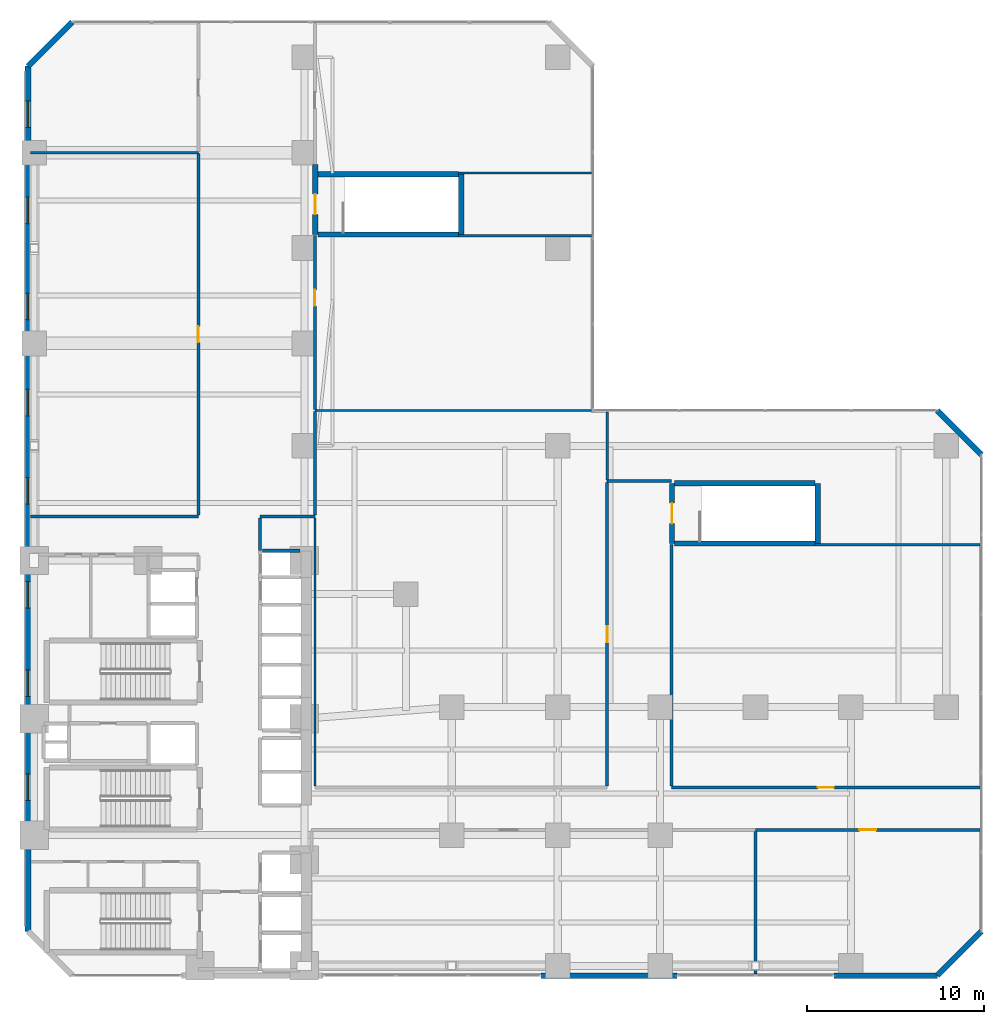
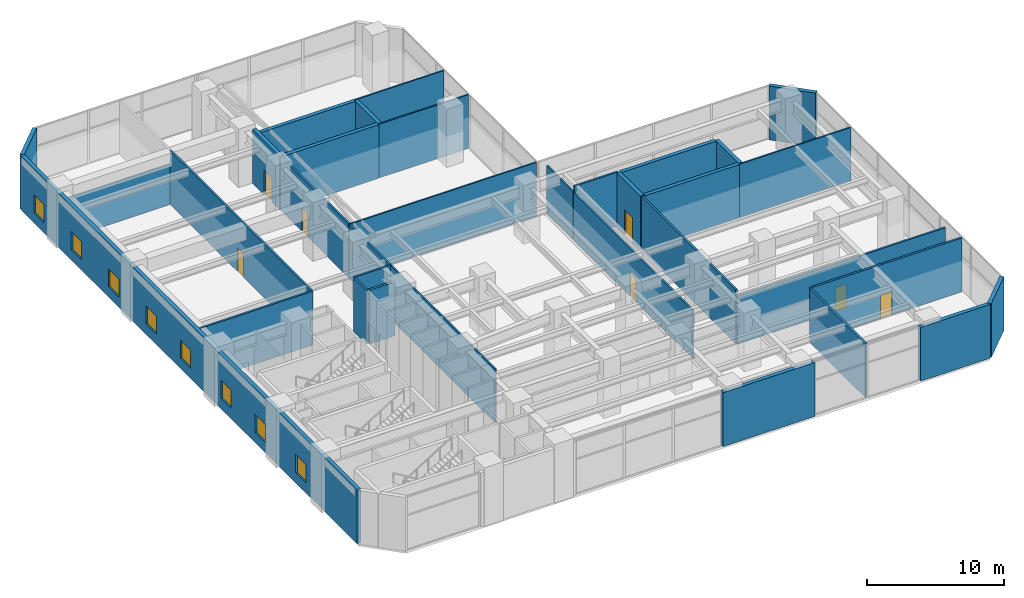
# One storey, part 24 of 29: 34 walls, 8 windows, 7 doors, 15 openings.
"""IFC4 building model written with IfcOpenShell, lengths in metres."""

from ifc_helpers import new_model, si_unit, direction, frame, frame_2d, origin, place, context, subcontext, project, spatial, rectangle, extrude, material, layer, layer_set, type_object, element, fill, save


model = new_model("IFC4")

# Units and contexts
model_context = context("Model", 3, precision=1e-05, world=origin(), true_north=direction((0.0, 1.0)))
body_context = subcontext(model_context, "Body", "Model", "MODEL_VIEW")
ifc_project = project(units=[si_unit("LENGTHUNIT", "METRE"), si_unit("AREAUNIT", "SQUARE_METRE"), si_unit("VOLUMEUNIT", "CUBIC_METRE"), si_unit("PLANEANGLEUNIT", "RADIAN"), si_unit("MASSUNIT", "GRAM", prefix="KILO")], contexts=[model_context])

# Site, building, storey
site_placement = place(None, origin())
site = spatial("IfcSite", under=ifc_project, at=site_placement, CompositionType="ELEMENT")
building_placement = place(site_placement, origin())
building = spatial("IfcBuilding", under=site, at=building_placement, Name="Mawjaban Terraces University", CompositionType="ELEMENT")
storey_placement = place(building_placement, frame((0.0, 0.0, 20.800048828125)))
storey = spatial("IfcBuildingStorey", under=building, at=storey_placement, Name="L04", CompositionType="ELEMENT", Elevation=20.800048828125)

# Wall, opening, door
ifc_material_1 = material(Name="Acoustic masonry blockwork", Category="masonry")
ifc_layer_1 = layer(ifc_material_1, 0.179931640625)
ifc_layer_set_1 = layer_set([ifc_layer_1], Name="Acoustic masonry blockwork")
wall_type_1 = type_object("IfcWallType", Name="AcousticStudioWall_180", PredefinedType="PARTITIONING", material=ifc_layer_set_1)
wall_1_placement = place(storey_placement, frame((63.199951171875, 8.25, 0.0), z_axis=(0.0, 0.0, 1.0), x_axis=(1.0, 0.0, 0.0)))
wall_1 = element("IfcWall", 1, at=wall_1_placement, inside=storey, type_object=wall_type_1, Name="L04 Podium Academic Gallery Corridor Partition 20", PredefinedType="PARTITIONING", context=body_context, shape_type="SweptSolid", body=[
    extrude(rectangle(XDim=12.719970703125, YDim=0.179931640625, at=frame_2d((6.35986328125, 0.0))), origin(), (0.0, 0.0, 1.0), 4.780029296875),
])
opening_1_placement = place(wall_1_placement, frame((5.885009765625, 0.0, 0.0)))
opening_1 = element("IfcOpeningElement", 2, at=opening_1_placement, cuts=wall_1, Name="Opening ID-095", PredefinedType="OPENING", context=body_context, shape_type="SweptSolid", body=[
    extrude(rectangle(XDim=0.949951171875, YDim=2.10009765625, at=frame_2d((0.47509765625, 1.050048828125))), frame((0.0, 0.099853515625, 0.0), z_axis=(0.0, -1.0, 0.0), x_axis=(1.0, 0.0, 0.0)), (0.0, 0.0, 1.0), 0.199951171875),
])
ifc_material_2 = material(Name="Powder-coated steel frame and solid acoustic timber leaf", Category="steel")
door_type_1 = type_object("IfcDoorType", Name="StudioDoor_950x2100", OperationType="NOTDEFINED", PredefinedType="DOOR", material=ifc_material_2)
door_1_placement = place(opening_1_placement, origin())
door_1 = element("IfcDoor", 3, at=door_1_placement, inside=storey, type_object=door_type_1, Name="L04 Instructional Media Studio Door", OperationType="SINGLE_SWING_RIGHT", OverallHeight=2.10009765625, OverallWidth=0.949951171875, PredefinedType="DOOR", context=body_context, shape_type="SweptSolid", body=[
    extrude(rectangle(XDim=0.949951171875, YDim=2.10009765625, at=frame_2d((0.47509765625, 1.050048828125))), frame((0.0, 0.02490234375, 0.0), z_axis=(0.0, -1.0, 0.0), x_axis=(1.0, 0.0, 0.0)), (0.0, 0.0, 1.0), 0.050048828125),
])
fill(opening_1, door_1)

# Walls
wall_2_placement = place(storey_placement, frame((63.199951171875, 0.090087890625, 0.0), z_axis=(0.0, 0.0, 1.0), x_axis=(0.0, 1.0, 0.0)))
element("IfcWall", 4, at=wall_2_placement, inside=storey, type_object=wall_type_1, Name="L04 Foundation Seminar Classroom Partition 41", PredefinedType="PARTITIONING", context=body_context, shape_type="SweptSolid", body=[
    extrude(rectangle(XDim=8.074951171875, YDim=0.179931640625, at=frame_2d((4.03759765625, 0.0))), origin(), (0.0, 0.0, 1.0), 4.780029296875),
])
ifc_material_3 = material(Name="Fire-rated gypsum board on steel stud", Category="steel")
ifc_layer_2 = layer(ifc_material_3, 0.159912109375)
ifc_layer_set_2 = layer_set([ifc_layer_2], Name="Fire-rated gypsum board on steel stud")
wall_type_2 = type_object("IfcWallType", Name="CorridorPartition_160", PredefinedType="PARTITIONING", material=ifc_layer_set_2)
wall_3_placement = place(storey_placement, frame((31.64990234375, 26.0, 0.0), z_axis=(0.0, 0.0, 1.0), x_axis=(-1.0, 0.0, 0.0)))
element("IfcWall", 5, at=wall_3_placement, inside=storey, type_object=wall_type_2, Name="L04 North Core Cross-Corridor Partition 10", PredefinedType="PARTITIONING", context=body_context, shape_type="SweptSolid", body=[
    extrude(rectangle(XDim=9.494873046875, YDim=0.159912109375, at=frame_2d((4.74755859375, 0.0))), origin(), (0.0, 0.0, 1.0), 4.780029296875),
])
wall_4_placement = place(storey_placement, frame((35.14990234375, 26.0, 0.0), z_axis=(0.0, 0.0, 1.0), x_axis=(1.0, 0.0, 0.0)))
element("IfcWall", 6, at=wall_4_placement, inside=storey, type_object=wall_type_2, Name="L04 Podium Library Concourse Partition 13", PredefinedType="PARTITIONING", context=body_context, shape_type="SweptSolid", body=[
    extrude(rectangle(XDim=3.10009765625, YDim=0.159912109375, at=frame_2d((1.550048828125, 0.0))), origin(), (0.0, 0.0, 1.0), 4.780029296875),
])
wall_5_placement = place(storey_placement, frame((58.449951171875, 28.0, 0.0), z_axis=(0.0, 0.0, 1.0), x_axis=(-1.0, 0.0, 0.0)))
element("IfcWall", 7, at=wall_5_placement, inside=storey, type_object=wall_type_2, Name="L04 East Stair Access Corridor Partition 19", PredefinedType="PARTITIONING", context=body_context, shape_type="SweptSolid", body=[
    extrude(rectangle(XDim=3.64990234375, YDim=0.159912109375, at=frame_2d((1.824951171875, 0.0))), origin(), (0.0, 0.0, 1.0), 4.780029296875),
])

# Wall, opening, door
wall_6_placement = place(storey_placement, frame((75.919921875, 10.64990234375, 0.0), z_axis=(0.0, 0.0, 1.0), x_axis=(-1.0, 0.0, 0.0)))
wall_6 = element("IfcWall", 8, at=wall_6_placement, inside=storey, type_object=wall_type_2, Name="L04 Podium Academic Gallery Corridor Partition 21", PredefinedType="PARTITIONING", context=body_context, shape_type="SweptSolid", body=[
    extrude(rectangle(XDim=17.469970703125, YDim=0.159912109375, at=frame_2d((8.73486328125, 0.0))), origin(), (0.0, 0.0, 1.0), 4.22900390625),
])
opening_2_placement = place(wall_6_placement, frame((8.284912109375, 0.0, 0.0)))
opening_2 = element("IfcOpeningElement", 9, at=opening_2_placement, cuts=wall_6, Name="Opening ID-090", PredefinedType="OPENING", context=body_context, shape_type="SweptSolid", body=[
    extrude(rectangle(XDim=0.89990234375, YDim=2.10009765625, at=frame_2d((0.449951171875, 1.050048828125))), frame((0.0, 0.08984375, 0.0), z_axis=(0.0, -1.0, 0.0), x_axis=(1.0, 0.0, 0.0)), (0.0, 0.0, 1.0), 0.179931640625),
])
door_type_2 = type_object("IfcDoorType", Name="OfficeDoor_900x2100", OperationType="NOTDEFINED", PredefinedType="DOOR", material=ifc_material_2)
door_2_placement = place(opening_2_placement, origin())
door_2 = element("IfcDoor", 10, at=door_2_placement, inside=storey, type_object=door_type_2, Name="L04 Interdisciplinary Seminar Hall Door", OperationType="SINGLE_SWING_RIGHT", OverallHeight=2.10009765625, OverallWidth=0.89990234375, PredefinedType="DOOR", context=body_context, shape_type="SweptSolid", body=[
    extrude(rectangle(XDim=0.89990234375, YDim=2.10009765625, at=frame_2d((0.449951171875, 1.050048828125))), frame((0.0, 0.02490234375, 0.0), z_axis=(0.0, -1.0, 0.0), x_axis=(1.0, 0.0, 0.0)), (0.0, 0.0, 1.0), 0.050048828125),
])
fill(opening_2, door_2)

wall_7_placement = place(storey_placement, frame((31.64990234375, 46.54296875, 0.0), z_axis=(0.0, 0.0, 1.0), x_axis=(0.0, -1.0, 0.0)))
wall_7 = element("IfcWall", 11, at=wall_7_placement, inside=storey, type_object=wall_type_2, Name="L04 Podium Library Concourse Partition 30", PredefinedType="PARTITIONING", context=body_context, shape_type="SweptSolid", body=[
    extrude(rectangle(XDim=20.468017578125, YDim=0.159912109375, at=frame_2d((10.23388671875, 0.0))), origin(), (0.0, 0.0, 1.0), 4.780029296875),
])
opening_3_placement = place(wall_7_placement, frame((9.783935546875, 0.0, 0.0)))
opening_3 = element("IfcOpeningElement", 12, at=opening_3_placement, cuts=wall_7, Name="Opening ID-090", PredefinedType="OPENING", context=body_context, shape_type="SweptSolid", body=[
    extrude(rectangle(XDim=0.89990234375, YDim=2.10009765625, at=frame_2d((0.449951171875, 1.050048828125))), frame((0.0, 0.08984375, 0.0), z_axis=(0.0, -1.0, 0.0), x_axis=(1.0, 0.0, 0.0)), (0.0, 0.0, 1.0), 0.179931640625),
])
door_3_placement = place(opening_3_placement, origin())
door_3 = element("IfcDoor", 13, at=door_3_placement, inside=storey, type_object=door_type_2, Name="L04 Central Library Bookstack Hall Door", OperationType="SINGLE_SWING_LEFT", OverallHeight=2.10009765625, OverallWidth=0.89990234375, PredefinedType="DOOR", context=body_context, shape_type="SweptSolid", body=[
    extrude(rectangle(XDim=0.89990234375, YDim=2.10009765625, at=frame_2d((0.449951171875, 1.050048828125))), frame((0.0, 0.02490234375, 0.0), z_axis=(0.0, -1.0, 0.0), x_axis=(1.0, 0.0, 0.0)), (0.0, 0.0, 1.0), 0.050048828125),
])
fill(opening_3, door_3)

# Walls
wall_8_placement = place(storey_placement, frame((35.14990234375, 24.070068359375, 0.0), z_axis=(0.0, 0.0, 1.0), x_axis=(0.0, 1.0, 0.0)))
element("IfcWall", 14, at=wall_8_placement, inside=storey, type_object=wall_type_2, Name="L04 North Core Cross-Corridor Partition 32", PredefinedType="PARTITIONING", context=body_context, shape_type="SweptSolid", body=[
    extrude(rectangle(XDim=1.85498046875, YDim=0.159912109375, at=frame_2d((0.927490234375, 0.0))), origin(), (0.0, 0.0, 1.0), 4.780029296875),
])
wall_9_placement = place(storey_placement, frame((38.25, 26.074951171875, 0.0), z_axis=(0.0, 0.0, 1.0), x_axis=(0.0, 1.0, 0.0)))
element("IfcWall", 15, at=wall_9_placement, inside=storey, type_object=wall_type_2, Name="L04 Podium Library Concourse Partition 35", PredefinedType="PARTITIONING", context=body_context, shape_type="SweptSolid", body=[
    extrude(rectangle(XDim=5.866943359375, YDim=0.159912109375, at=frame_2d((2.93359375, 0.0))), origin(), (0.0, 0.0, 1.0), 4.780029296875),
])

# Wall, opening, door
wall_10_placement = place(storey_placement, frame((38.25, 32.056884765625, 0.0), z_axis=(0.0, 0.0, 1.0), x_axis=(0.0, 1.0, 0.0)))
wall_10 = element("IfcWall", 16, at=wall_10_placement, inside=storey, type_object=wall_type_2, Name="L04 Podium Library Concourse Partition 36", PredefinedType="PARTITIONING", context=body_context, shape_type="SweptSolid", body=[
    extrude(rectangle(XDim=9.843017578125, YDim=0.159912109375, at=frame_2d((4.92138671875, 0.0))), origin(), (0.0, 0.0, 1.0), 4.780029296875),
])
opening_4_placement = place(wall_10_placement, frame((5.87109375, 0.0, 0.0)))
opening_4 = element("IfcOpeningElement", 17, at=opening_4_placement, cuts=wall_10, Name="Opening ID-090", PredefinedType="OPENING", context=body_context, shape_type="SweptSolid", body=[
    extrude(rectangle(XDim=0.89990234375, YDim=2.10009765625, at=frame_2d((0.449951171875, 1.050048828125))), frame((0.0, 0.08984375, 0.0), z_axis=(0.0, -1.0, 0.0), x_axis=(1.0, 0.0, 0.0)), (0.0, 0.0, 1.0), 0.179931640625),
])
door_4_placement = place(opening_4_placement, origin())
door_4 = element("IfcDoor", 18, at=door_4_placement, inside=storey, type_object=door_type_2, Name="L04 Digital Scholarship Reading Hall Door", OperationType="SINGLE_SWING_LEFT", OverallHeight=2.10009765625, OverallWidth=0.89990234375, PredefinedType="DOOR", context=body_context, shape_type="SweptSolid", body=[
    extrude(rectangle(XDim=0.89990234375, YDim=2.10009765625, at=frame_2d((0.449951171875, 1.050048828125))), frame((0.0, 0.02490234375, 0.0), z_axis=(0.0, -1.0, 0.0), x_axis=(1.0, 0.0, 0.0)), (0.0, 0.0, 1.0), 0.050048828125),
])
fill(opening_4, door_4)

wall_11_placement = place(storey_placement, frame((54.800048828125, 27.925048828125, 0.0), z_axis=(0.0, 0.0, 1.0), x_axis=(0.0, -1.0, 0.0)))
wall_11 = element("IfcWall", 19, at=wall_11_placement, inside=storey, type_object=wall_type_2, Name="L04 East Stair Access Corridor Partition 39", PredefinedType="PARTITIONING", context=body_context, shape_type="SweptSolid", body=[
    extrude(rectangle(XDim=17.199951171875, YDim=0.159912109375, at=frame_2d((8.60009765625, 0.0))), origin(), (0.0, 0.0, 1.0), 4.22900390625),
])
opening_5_placement = place(wall_11_placement, frame((8.14990234375, 0.0, 0.0)))
opening_5 = element("IfcOpeningElement", 20, at=opening_5_placement, cuts=wall_11, Name="Opening ID-090", PredefinedType="OPENING", context=body_context, shape_type="SweptSolid", body=[
    extrude(rectangle(XDim=0.89990234375, YDim=2.10009765625, at=frame_2d((0.449951171875, 1.050048828125))), frame((0.0, 0.08984375, 0.0), z_axis=(0.0, -1.0, 0.0), x_axis=(1.0, 0.0, 0.0)), (0.0, 0.0, 1.0), 0.179931640625),
])
door_5_placement = place(opening_5_placement, origin())
door_5 = element("IfcDoor", 21, at=door_5_placement, inside=storey, type_object=door_type_2, Name="L04 Central Library Main Reading Hall Door", OperationType="SINGLE_SWING_LEFT", OverallHeight=2.10009765625, OverallWidth=0.89990234375, PredefinedType="DOOR", context=body_context, shape_type="SweptSolid", body=[
    extrude(rectangle(XDim=0.89990234375, YDim=2.10009765625, at=frame_2d((0.449951171875, 1.050048828125))), frame((0.0, 0.02490234375, 0.0), z_axis=(0.0, -1.0, 0.0), x_axis=(1.0, 0.0, 0.0)), (0.0, 0.0, 1.0), 0.050048828125),
])
fill(opening_5, door_5)

# Walls
wall_12_placement = place(storey_placement, frame((58.449951171875, 10.72509765625, 0.0), z_axis=(0.0, 0.0, 1.0), x_axis=(0.0, 1.0, 0.0)))
element("IfcWall", 22, at=wall_12_placement, inside=storey, type_object=wall_type_2, Name="L04 East Stair Access Corridor Partition 40", PredefinedType="PARTITIONING", context=body_context, shape_type="SweptSolid", body=[
    extrude(rectangle(XDim=13.6748046875, YDim=0.159912109375, at=frame_2d((6.83740234375, 0.0))), origin(), (0.0, 0.0, 1.0), 4.780029296875),
])
ifc_material_4 = material(Name="Insulated terracotta rainscreen on concrete backup C40/50", Category="masonry")
ifc_layer_3 = layer(ifc_material_4, 0.320068359375)
ifc_layer_set_3 = layer_set([ifc_layer_3], Name="Insulated terracotta rainscreen on concrete backup C40/50")
wall_type_3 = type_object("IfcWallType", Name="ExtTerracottaWall_320", PredefinedType="SOLIDWALL", material=ifc_layer_set_3)
wall_13_placement = place(storey_placement, frame((51.050048828125, 0.0, 0.0), z_axis=(0.0, 0.0, 1.0), x_axis=(1.0, 0.0, 0.0)))
element("IfcWall", 23, at=wall_13_placement, inside=storey, type_object=wall_type_3, Name="L04 Exterior Terracotta Pier Wall 1.2", PredefinedType="SOLIDWALL", context=body_context, shape_type="SweptSolid", body=[
    extrude(rectangle(XDim=7.699951171875, YDim=0.320068359375, at=frame_2d((3.85009765625, 0.0))), origin(), (0.0, 0.0, 1.0), 4.780029296875),
])
wall_14_placement = place(storey_placement, frame((67.64990234375, 0.0, 0.0), z_axis=(0.0, 0.0, 1.0), x_axis=(1.0, 0.0, 0.0)))
element("IfcWall", 24, at=wall_14_placement, inside=storey, type_object=wall_type_3, Name="L04 Exterior Terracotta Pier Wall 1.3", PredefinedType="SOLIDWALL", context=body_context, shape_type="SweptSolid", body=[
    extrude(rectangle(XDim=5.85009765625, YDim=0.320068359375, at=frame_2d((2.925048828125, 0.0))), origin(), (0.0, 0.0, 1.0), 4.780029296875),
])
for number, where, z_axis, x_axis, name in (
    (25, (73.5, 0.0, 0.0), (0.0, 0.0, 1.0), (0.707106781187, 0.707106781187, 0.0), "L04 Exterior Terracotta Wall 2"),
    (26, (76.0, 29.5, 0.0), (0.0, 0.0, 1.0), (-0.707106781187, 0.707106781187, 0.0), "L04 Exterior Terracotta Wall 4"),
    (27, (24.5, 54.0, 0.0), (0.0, 0.0, 1.0), (-0.707106781187, -0.707106781187, 0.0), "L04 Exterior Terracotta Wall 9"),
):
    element("IfcWall", number, at=place(storey_placement, frame(where, z_axis=z_axis, x_axis=x_axis)), inside=storey, type_object=wall_type_3, Name=name, PredefinedType="SOLIDWALL", context=body_context, shape_type="SweptSolid", body=[
        extrude(rectangle(XDim=3.53564453125, YDim=0.320068359375, at=frame_2d((1.767822265625, 0.0))), origin(), (0.0, 0.0, 1.0), 4.780029296875),
    ])

# Wall, openings, windows
wall_15_placement = place(storey_placement, frame((22.0, 51.5, 0.0), z_axis=(0.0, 0.0, 1.0), x_axis=(0.0, -1.0, 0.0)))
wall_15 = element("IfcWall", 28, at=wall_15_placement, inside=storey, type_object=wall_type_3, Name="L04 Exterior Terracotta Wall 10", PredefinedType="SOLIDWALL", context=body_context, shape_type="SweptSolid", body=[
    extrude(rectangle(XDim=49.0, YDim=0.320068359375, at=frame_2d((24.5, 0.0))), origin(), (0.0, 0.0, 1.0), 4.780029296875),
])
opening_6_placement = place(wall_15_placement, frame((1.971923828125, 0.0, 0.89990234375)))
opening_6 = element("IfcOpeningElement", 29, at=opening_6_placement, cuts=wall_15, Name="Opening W-02", PredefinedType="OPENING", context=body_context, shape_type="SweptSolid", body=[
    extrude(rectangle(XDim=1.5, YDim=1.60009765625, at=frame_2d((0.75, 0.800048828125))), frame((0.0, 0.169921875, 0.0), z_axis=(0.0, -1.0, 0.0), x_axis=(1.0, 0.0, 0.0)), (0.0, 0.0, 1.0), 0.340087890625),
])
opening_7_placement = place(wall_15_placement, frame((7.4169921875, 0.0, 0.89990234375)))
opening_7 = element("IfcOpeningElement", 30, at=opening_7_placement, cuts=wall_15, Name="Opening W-02", PredefinedType="OPENING", context=body_context, shape_type="SweptSolid", body=[
    extrude(rectangle(XDim=1.5, YDim=1.60009765625, at=frame_2d((0.75, 0.800048828125))), frame((0.0, 0.169921875, 0.0), z_axis=(0.0, -1.0, 0.0), x_axis=(1.0, 0.0, 0.0)), (0.0, 0.0, 1.0), 0.340087890625),
])
opening_8_placement = place(wall_15_placement, frame((12.861083984375, 0.0, 0.89990234375)))
opening_8 = element("IfcOpeningElement", 31, at=opening_8_placement, cuts=wall_15, Name="Opening W-02", PredefinedType="OPENING", context=body_context, shape_type="SweptSolid", body=[
    extrude(rectangle(XDim=1.5, YDim=1.60009765625, at=frame_2d((0.75, 0.800048828125))), frame((0.0, 0.169921875, 0.0), z_axis=(0.0, -1.0, 0.0), x_axis=(1.0, 0.0, 0.0)), (0.0, 0.0, 1.0), 0.340087890625),
])
opening_9_placement = place(wall_15_placement, frame((18.305908203125, 0.0, 0.89990234375)))
opening_9 = element("IfcOpeningElement", 32, at=opening_9_placement, cuts=wall_15, Name="Opening W-02", PredefinedType="OPENING", context=body_context, shape_type="SweptSolid", body=[
    extrude(rectangle(XDim=1.5, YDim=1.60009765625, at=frame_2d((0.75, 0.800048828125))), frame((0.0, 0.169921875, 0.0), z_axis=(0.0, -1.0, 0.0), x_axis=(1.0, 0.0, 0.0)), (0.0, 0.0, 1.0), 0.340087890625),
])
opening_10_placement = place(wall_15_placement, frame((23.300048828125, 0.0, 0.89990234375)))
opening_10 = element("IfcOpeningElement", 33, at=opening_10_placement, cuts=wall_15, Name="Opening W-02", PredefinedType="OPENING", context=body_context, shape_type="SweptSolid", body=[
    extrude(rectangle(XDim=1.5, YDim=1.60009765625, at=frame_2d((0.75, 0.800048828125))), frame((0.0, 0.169921875, 0.0), z_axis=(0.0, -1.0, 0.0), x_axis=(1.0, 0.0, 0.0)), (0.0, 0.0, 1.0), 0.340087890625),
])
opening_11_placement = place(wall_15_placement, frame((29.194091796875, 0.0, 0.89990234375)))
opening_11 = element("IfcOpeningElement", 34, at=opening_11_placement, cuts=wall_15, Name="Opening W-02", PredefinedType="OPENING", context=body_context, shape_type="SweptSolid", body=[
    extrude(rectangle(XDim=1.5, YDim=1.60009765625, at=frame_2d((0.75, 0.800048828125))), frame((0.0, 0.169921875, 0.0), z_axis=(0.0, -1.0, 0.0), x_axis=(1.0, 0.0, 0.0)), (0.0, 0.0, 1.0), 0.340087890625),
])
opening_12_placement = place(wall_15_placement, frame((34.18896484375, 0.0, 0.89990234375)))
opening_12 = element("IfcOpeningElement", 35, at=opening_12_placement, cuts=wall_15, Name="Opening W-02", PredefinedType="OPENING", context=body_context, shape_type="SweptSolid", body=[
    extrude(rectangle(XDim=1.5, YDim=1.60009765625, at=frame_2d((0.75, 0.800048828125))), frame((0.0, 0.169921875, 0.0), z_axis=(0.0, -1.0, 0.0), x_axis=(1.0, 0.0, 0.0)), (0.0, 0.0, 1.0), 0.340087890625),
])
opening_13_placement = place(wall_15_placement, frame((40.0830078125, 0.0, 0.89990234375)))
opening_13 = element("IfcOpeningElement", 36, at=opening_13_placement, cuts=wall_15, Name="Opening W-02", PredefinedType="OPENING", context=body_context, shape_type="SweptSolid", body=[
    extrude(rectangle(XDim=1.5, YDim=1.60009765625, at=frame_2d((0.75, 0.800048828125))), frame((0.0, 0.169921875, 0.0), z_axis=(0.0, -1.0, 0.0), x_axis=(1.0, 0.0, 0.0)), (0.0, 0.0, 1.0), 0.340087890625),
])
ifc_material_5 = material(Name="Low-E solar-control double glazing in thermally broken aluminium frame", Category="aluminium")
window_type = type_object("IfcWindowType", Name="Win_1500x1600", PartitioningType="SINGLE_PANEL", PredefinedType="WINDOW", material=ifc_material_5)
window_1_placement = place(opening_6_placement, origin())
window_1 = element("IfcWindow", 37, at=window_1_placement, inside=storey, type_object=window_type, Name="L04 Facade Window 10.1", OverallHeight=1.60009765625, OverallWidth=1.5, PartitioningType="SINGLE_PANEL", PredefinedType="WINDOW", context=body_context, shape_type="SweptSolid", body=[
    extrude(rectangle(XDim=1.5, YDim=1.60009765625, at=frame_2d((0.75, 0.800048828125))), frame((0.0, 0.030029296875, 0.0), z_axis=(0.0, -1.0, 0.0), x_axis=(1.0, 0.0, 0.0)), (0.0, 0.0, 1.0), 0.06005859375),
])
fill(opening_6, window_1)
window_2_placement = place(opening_7_placement, origin())
window_2 = element("IfcWindow", 38, at=window_2_placement, inside=storey, type_object=window_type, Name="L04 Facade Window 10.2", OverallHeight=1.60009765625, OverallWidth=1.5, PartitioningType="SINGLE_PANEL", PredefinedType="WINDOW", context=body_context, shape_type="SweptSolid", body=[
    extrude(rectangle(XDim=1.5, YDim=1.60009765625, at=frame_2d((0.75, 0.800048828125))), frame((0.0, 0.030029296875, 0.0), z_axis=(0.0, -1.0, 0.0), x_axis=(1.0, 0.0, 0.0)), (0.0, 0.0, 1.0), 0.06005859375),
])
fill(opening_7, window_2)
window_3_placement = place(opening_8_placement, origin())
window_3 = element("IfcWindow", 39, at=window_3_placement, inside=storey, type_object=window_type, Name="L04 Facade Window 10.3", OverallHeight=1.60009765625, OverallWidth=1.5, PartitioningType="SINGLE_PANEL", PredefinedType="WINDOW", context=body_context, shape_type="SweptSolid", body=[
    extrude(rectangle(XDim=1.5, YDim=1.60009765625, at=frame_2d((0.75, 0.800048828125))), frame((0.0, 0.030029296875, 0.0), z_axis=(0.0, -1.0, 0.0), x_axis=(1.0, 0.0, 0.0)), (0.0, 0.0, 1.0), 0.06005859375),
])
fill(opening_8, window_3)
window_4_placement = place(opening_9_placement, origin())
window_4 = element("IfcWindow", 40, at=window_4_placement, inside=storey, type_object=window_type, Name="L04 Facade Window 10.4", OverallHeight=1.60009765625, OverallWidth=1.5, PartitioningType="SINGLE_PANEL", PredefinedType="WINDOW", context=body_context, shape_type="SweptSolid", body=[
    extrude(rectangle(XDim=1.5, YDim=1.60009765625, at=frame_2d((0.75, 0.800048828125))), frame((0.0, 0.030029296875, 0.0), z_axis=(0.0, -1.0, 0.0), x_axis=(1.0, 0.0, 0.0)), (0.0, 0.0, 1.0), 0.06005859375),
])
fill(opening_9, window_4)
window_5_placement = place(opening_10_placement, origin())
window_5 = element("IfcWindow", 41, at=window_5_placement, inside=storey, type_object=window_type, Name="L04 Facade Window 10.5", OverallHeight=1.60009765625, OverallWidth=1.5, PartitioningType="SINGLE_PANEL", PredefinedType="WINDOW", context=body_context, shape_type="SweptSolid", body=[
    extrude(rectangle(XDim=1.5, YDim=1.60009765625, at=frame_2d((0.75, 0.800048828125))), frame((0.0, 0.030029296875, 0.0), z_axis=(0.0, -1.0, 0.0), x_axis=(1.0, 0.0, 0.0)), (0.0, 0.0, 1.0), 0.06005859375),
])
fill(opening_10, window_5)
window_6_placement = place(opening_11_placement, origin())
window_6 = element("IfcWindow", 42, at=window_6_placement, inside=storey, type_object=window_type, Name="L04 Facade Window 10.6", OverallHeight=1.60009765625, OverallWidth=1.5, PartitioningType="SINGLE_PANEL", PredefinedType="WINDOW", context=body_context, shape_type="SweptSolid", body=[
    extrude(rectangle(XDim=1.5, YDim=1.60009765625, at=frame_2d((0.75, 0.800048828125))), frame((0.0, 0.030029296875, 0.0), z_axis=(0.0, -1.0, 0.0), x_axis=(1.0, 0.0, 0.0)), (0.0, 0.0, 1.0), 0.06005859375),
])
fill(opening_11, window_6)
window_7_placement = place(opening_12_placement, origin())
window_7 = element("IfcWindow", 43, at=window_7_placement, inside=storey, type_object=window_type, Name="L04 Facade Window 10.7", OverallHeight=1.60009765625, OverallWidth=1.5, PartitioningType="SINGLE_PANEL", PredefinedType="WINDOW", context=body_context, shape_type="SweptSolid", body=[
    extrude(rectangle(XDim=1.5, YDim=1.60009765625, at=frame_2d((0.75, 0.800048828125))), frame((0.0, 0.030029296875, 0.0), z_axis=(0.0, -1.0, 0.0), x_axis=(1.0, 0.0, 0.0)), (0.0, 0.0, 1.0), 0.06005859375),
])
fill(opening_12, window_7)
window_8_placement = place(opening_13_placement, origin())
window_8 = element("IfcWindow", 44, at=window_8_placement, inside=storey, type_object=window_type, Name="L04 Facade Window 10.8", OverallHeight=1.60009765625, OverallWidth=1.5, PartitioningType="SINGLE_PANEL", PredefinedType="WINDOW", context=body_context, shape_type="SweptSolid", body=[
    extrude(rectangle(XDim=1.5, YDim=1.60009765625, at=frame_2d((0.75, 0.800048828125))), frame((0.0, 0.030029296875, 0.0), z_axis=(0.0, -1.0, 0.0), x_axis=(1.0, 0.0, 0.0)), (0.0, 0.0, 1.0), 0.06005859375),
])
fill(opening_13, window_8)

# Walls
ifc_material_6 = material(Name="Concrete C40/50", Category="concrete")
ifc_layer_4 = layer(ifc_material_6, 0.199951171875)
ifc_layer_set_4 = layer_set([ifc_layer_4], Name="Concrete C40/50")
wall_type_4 = type_object("IfcWallType", Name="FireLobbyWall_200", PredefinedType="SOLIDWALL", material=ifc_layer_set_4)
wall_16_placement = place(storey_placement, frame((37.419921875, 24.050048828125, 0.0), z_axis=(0.0, 0.0, 1.0), x_axis=(-1.0, 0.0, 0.0)))
element("IfcWall", 45, at=wall_16_placement, inside=storey, type_object=wall_type_4, Name="L04 Lift PL-L2 Hoistway Wall North", PredefinedType="SOLIDWALL", context=body_context, shape_type="SweptSolid", body=[
    extrude(rectangle(XDim=2.139892578125, YDim=0.199951171875, at=frame_2d((1.06982421875, 0.0))), origin(), (0.0, 0.0, 1.0), 4.780029296875),
])
ifc_material_7 = material(Name="Gypsum plasterboard on steel stud", Category="steel")
ifc_layer_5 = layer(ifc_material_7, 0.125)
ifc_layer_set_5 = layer_set([ifc_layer_5], Name="Gypsum plasterboard on steel stud")
wall_type_5 = type_object("IfcWallType", Name="OfficePartition_125", PredefinedType="PARTITIONING", material=ifc_layer_set_5)
wall_17_placement = place(storey_placement, frame((31.64990234375, 46.60009765625, 0.0), z_axis=(0.0, 0.0, 1.0), x_axis=(-1.0, 0.0, 0.0)))
element("IfcWall", 46, at=wall_17_placement, inside=storey, type_object=wall_type_5, Name="L04 Central Library Bookstack Hall Partition 11", PredefinedType="PARTITIONING", context=body_context, shape_type="SweptSolid", body=[
    extrude(rectangle(XDim=9.494873046875, YDim=0.125, at=frame_2d((4.74755859375, 0.0))), origin(), (0.0, 0.0, 1.0), 3.579833984375),
])
wall_18_placement = place(storey_placement, frame((38.25, 32.0, 0.0), z_axis=(0.0, 0.0, 1.0), x_axis=(1.0, 0.0, 0.0)))
element("IfcWall", 47, at=wall_18_placement, inside=storey, type_object=wall_type_5, Name="L04 Digital Scholarship Reading Hall Partition 15", PredefinedType="PARTITIONING", context=body_context, shape_type="SweptSolid", body=[
    extrude(rectangle(XDim=15.659912109375, YDim=0.125, at=frame_2d((7.830078125, 0.0))), origin(), (0.0, 0.0, 1.0), 4.780029296875),
])
for number, where, z_axis, x_axis, name in (
    (48, (46.3798828125, 45.449951171875, 0.0), (0.0, 0.0, 1.0), (1.0, 0.0, 0.0), "L04 Special Collections Study Room Partition 16"),
    (49, (53.909912109375, 41.89990234375, 0.0), (0.0, 0.0, 1.0), (-1.0, 0.0, 0.0), "L04 Digital Scholarship Reading Hall Partition 17"),
):
    element("IfcWall", number, at=place(storey_placement, frame(where, z_axis=z_axis, x_axis=x_axis)), inside=storey, type_object=wall_type_5, Name=name, PredefinedType="PARTITIONING", context=body_context, shape_type="SweptSolid", body=[
        extrude(rectangle(XDim=7.530029296875, YDim=0.125, at=frame_2d((3.76513671875, 0.0))), origin(), (0.0, 0.0, 1.0), 4.780029296875),
    ])
wall_19_placement = place(storey_placement, frame((75.919921875, 24.39990234375, 0.0), z_axis=(0.0, 0.0, 1.0), x_axis=(-1.0, 0.0, 0.0)))
element("IfcWall", 50, at=wall_19_placement, inside=storey, type_object=wall_type_5, Name="L04 Interdisciplinary Seminar Hall Partition 22", PredefinedType="PARTITIONING", context=body_context, shape_type="SweptSolid", body=[
    extrude(rectangle(XDim=9.33984375, YDim=0.125, at=frame_2d((4.669921875, 0.0))), origin(), (0.0, 0.0, 1.0), 4.780029296875),
])
wall_20_placement = place(storey_placement, frame((38.25, 25.925048828125, 0.0), z_axis=(0.0, 0.0, 1.0), x_axis=(0.0, -1.0, 0.0)))
element("IfcWall", 51, at=wall_20_placement, inside=storey, type_object=wall_type_5, Name="L04 Central Library Main Reading Hall Partition 34", PredefinedType="PARTITIONING", context=body_context, shape_type="SweptSolid", body=[
    extrude(rectangle(XDim=15.199951171875, YDim=0.125, at=frame_2d((7.60009765625, 0.0))), origin(), (0.0, 0.0, 1.0), 4.780029296875),
])
wall_21_placement = place(storey_placement, frame((54.800048828125, 28.074951171875, 0.0), z_axis=(0.0, 0.0, 1.0), x_axis=(0.0, 1.0, 0.0)))
element("IfcWall", 52, at=wall_21_placement, inside=storey, type_object=wall_type_5, Name="L04 Central Library Main Reading Hall Partition 38", PredefinedType="PARTITIONING", context=body_context, shape_type="SweptSolid", body=[
    extrude(rectangle(XDim=3.8349609375, YDim=0.125, at=frame_2d((1.91748046875, 0.0))), origin(), (0.0, 0.0, 1.0), 4.22900390625),
])
ifc_material_8 = material(Name="Concrete C60/75", Category="concrete")
ifc_layer_6 = layer(ifc_material_8, 0.300048828125)
ifc_layer_set_6 = layer_set([ifc_layer_6], Name="Concrete C60/75")
wall_type_6 = type_object("IfcWallType", Name="StairShaftWall_300", PredefinedType="SHEAR", material=ifc_layer_set_6)
wall_22_placement = place(storey_placement, frame((38.419921875, 41.969970703125, 0.0), z_axis=(0.0, 0.0, 1.0), x_axis=(1.0, 0.0, 0.0)))
element("IfcWall", 53, at=wall_22_placement, inside=storey, type_object=wall_type_6, Name="L04 ST-4 Stair Shaft Wall 1", PredefinedType="SHEAR", context=body_context, shape_type="SweptSolid", body=[
    extrude(rectangle(XDim=7.9599609375, YDim=0.300048828125, at=frame_2d((3.97998046875, 0.0))), origin(), (0.0, 0.0, 1.0), 4.780029296875),
])
wall_23_placement = place(storey_placement, frame((46.530029296875, 41.969970703125, 0.0), z_axis=(0.0, 0.0, 1.0), x_axis=(0.0, 1.0, 0.0)))
element("IfcWall", 54, at=wall_23_placement, inside=storey, type_object=wall_type_6, Name="L04 ST-4 Stair Shaft Wall 2", PredefinedType="SHEAR", context=body_context, shape_type="SweptSolid", body=[
    extrude(rectangle(XDim=3.409912109375, YDim=0.300048828125, at=frame_2d((1.705078125, 0.0))), origin(), (0.0, 0.0, 1.0), 4.780029296875),
])
wall_24_placement = place(storey_placement, frame((46.3798828125, 45.3798828125, 0.0), z_axis=(0.0, 0.0, 1.0), x_axis=(-1.0, 0.0, 0.0)))
element("IfcWall", 55, at=wall_24_placement, inside=storey, type_object=wall_type_6, Name="L04 ST-4 Stair Shaft Wall 3", PredefinedType="SHEAR", context=body_context, shape_type="SweptSolid", body=[
    extrude(rectangle(XDim=7.9599609375, YDim=0.300048828125, at=frame_2d((3.97998046875, 0.0))), origin(), (0.0, 0.0, 1.0), 4.780029296875),
])

# Wall, opening, door
wall_25_placement = place(storey_placement, frame((38.27001953125, 45.919921875, 0.0), z_axis=(0.0, 0.0, 1.0), x_axis=(0.0, -1.0, 0.0)))
wall_25 = element("IfcWall", 56, at=wall_25_placement, inside=storey, type_object=wall_type_6, Name="L04 ST-4 Stair Shaft Wall 4", PredefinedType="SHEAR", context=body_context, shape_type="SweptSolid", body=[
    extrude(rectangle(XDim=3.949951171875, YDim=0.300048828125, at=frame_2d((1.97509765625, 0.0))), origin(), (0.0, 0.0, 1.0), 4.780029296875),
])
opening_14_placement = place(wall_25_placement, frame((1.669921875, 0.0, 0.0)))
opening_14 = element("IfcOpeningElement", 57, at=opening_14_placement, cuts=wall_25, Name="Opening FD-115", PredefinedType="OPENING", context=body_context, shape_type="SweptSolid", body=[
    extrude(rectangle(XDim=1.14990234375, YDim=2.14990234375, at=frame_2d((0.574951171875, 1.074951171875))), frame((0.0, 0.159912109375, 0.0), z_axis=(0.0, -1.0, 0.0), x_axis=(1.0, 0.0, 0.0)), (0.0, 0.0, 1.0), 0.320068359375),
])
ifc_material_9 = material(Name="Powder-coated steel frame and fire-rated steel-faced leaf", Category="steel")
door_type_3 = type_object("IfcDoorType", Name="FireStairDoor_1150x2150", OperationType="NOTDEFINED", PredefinedType="DOOR", material=ifc_material_9)
door_6_placement = place(opening_14_placement, origin())
door_6 = element("IfcDoor", 58, at=door_6_placement, inside=storey, type_object=door_type_3, Name="L04 ST-4 Pressurised Stair Fire Door", OperationType="SINGLE_SWING_RIGHT", OverallHeight=2.14990234375, OverallWidth=1.14990234375, PredefinedType="DOOR", context=body_context, shape_type="SweptSolid", body=[
    extrude(rectangle(XDim=1.14990234375, YDim=2.14990234375, at=frame_2d((0.574951171875, 1.074951171875))), frame((0.0, 0.02490234375, 0.0), z_axis=(0.0, -1.0, 0.0), x_axis=(1.0, 0.0, 0.0)), (0.0, 0.0, 1.0), 0.050048828125),
])
fill(opening_14, door_6)

# Walls
wall_26_placement = place(storey_placement, frame((58.6201171875, 24.469970703125, 0.0), z_axis=(0.0, 0.0, 1.0), x_axis=(1.0, 0.0, 0.0)))
element("IfcWall", 59, at=wall_26_placement, inside=storey, type_object=wall_type_6, Name="L04 ST-5 Stair Shaft Wall 1", PredefinedType="SHEAR", context=body_context, shape_type="SweptSolid", body=[
    extrude(rectangle(XDim=7.9599609375, YDim=0.300048828125, at=frame_2d((3.97998046875, 0.0))), origin(), (0.0, 0.0, 1.0), 4.780029296875),
])
wall_27_placement = place(storey_placement, frame((66.72998046875, 24.469970703125, 0.0), z_axis=(0.0, 0.0, 1.0), x_axis=(0.0, 1.0, 0.0)))
element("IfcWall", 60, at=wall_27_placement, inside=storey, type_object=wall_type_6, Name="L04 ST-5 Stair Shaft Wall 2", PredefinedType="SHEAR", context=body_context, shape_type="SweptSolid", body=[
    extrude(rectangle(XDim=3.409912109375, YDim=0.300048828125, at=frame_2d((1.705078125, 0.0))), origin(), (0.0, 0.0, 1.0), 4.780029296875),
])
wall_28_placement = place(storey_placement, frame((66.580078125, 27.8798828125, 0.0), z_axis=(0.0, 0.0, 1.0), x_axis=(-1.0, 0.0, 0.0)))
element("IfcWall", 61, at=wall_28_placement, inside=storey, type_object=wall_type_6, Name="L04 ST-5 Stair Shaft Wall 3", PredefinedType="SHEAR", context=body_context, shape_type="SweptSolid", body=[
    extrude(rectangle(XDim=7.9599609375, YDim=0.300048828125, at=frame_2d((3.97998046875, 0.0))), origin(), (0.0, 0.0, 1.0), 4.780029296875),
])

# Wall, opening, door
wall_29_placement = place(storey_placement, frame((58.469970703125, 27.8798828125, 0.0), z_axis=(0.0, 0.0, 1.0), x_axis=(0.0, -1.0, 0.0)))
wall_29 = element("IfcWall", 62, at=wall_29_placement, inside=storey, type_object=wall_type_6, Name="L04 ST-5 Stair Shaft Wall 4", PredefinedType="SHEAR", context=body_context, shape_type="SweptSolid", body=[
    extrude(rectangle(XDim=3.409912109375, YDim=0.300048828125, at=frame_2d((1.705078125, 0.0))), origin(), (0.0, 0.0, 1.0), 4.780029296875),
])
opening_15_placement = place(wall_29_placement, frame((1.1298828125, 0.0, 0.0)))
opening_15 = element("IfcOpeningElement", 63, at=opening_15_placement, cuts=wall_29, Name="Opening FD-115", PredefinedType="OPENING", context=body_context, shape_type="SweptSolid", body=[
    extrude(rectangle(XDim=1.14990234375, YDim=2.14990234375, at=frame_2d((0.574951171875, 1.074951171875))), frame((0.0, 0.159912109375, 0.0), z_axis=(0.0, -1.0, 0.0), x_axis=(1.0, 0.0, 0.0)), (0.0, 0.0, 1.0), 0.320068359375),
])
door_7_placement = place(opening_15_placement, origin())
door_7 = element("IfcDoor", 64, at=door_7_placement, inside=storey, type_object=door_type_3, Name="L04 ST-5 Pressurised Stair Fire Door", OperationType="SINGLE_SWING_LEFT", OverallHeight=2.14990234375, OverallWidth=1.14990234375, PredefinedType="DOOR", context=body_context, shape_type="SweptSolid", body=[
    extrude(rectangle(XDim=1.14990234375, YDim=2.14990234375, at=frame_2d((0.574951171875, 1.074951171875))), frame((0.0, 0.02490234375, 0.0), z_axis=(0.0, -1.0, 0.0), x_axis=(1.0, 0.0, 0.0)), (0.0, 0.0, 1.0), 0.050048828125),
])
fill(opening_15, door_7)

save(model, "model.ifc")
